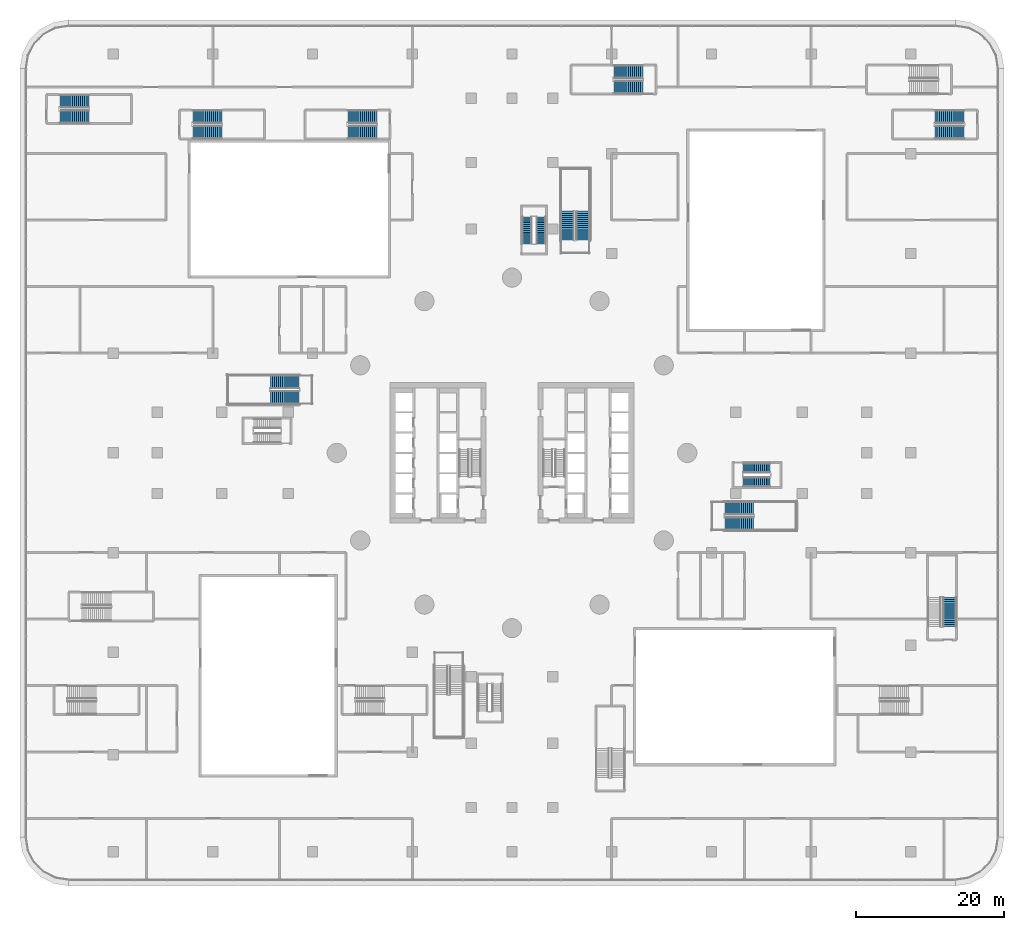
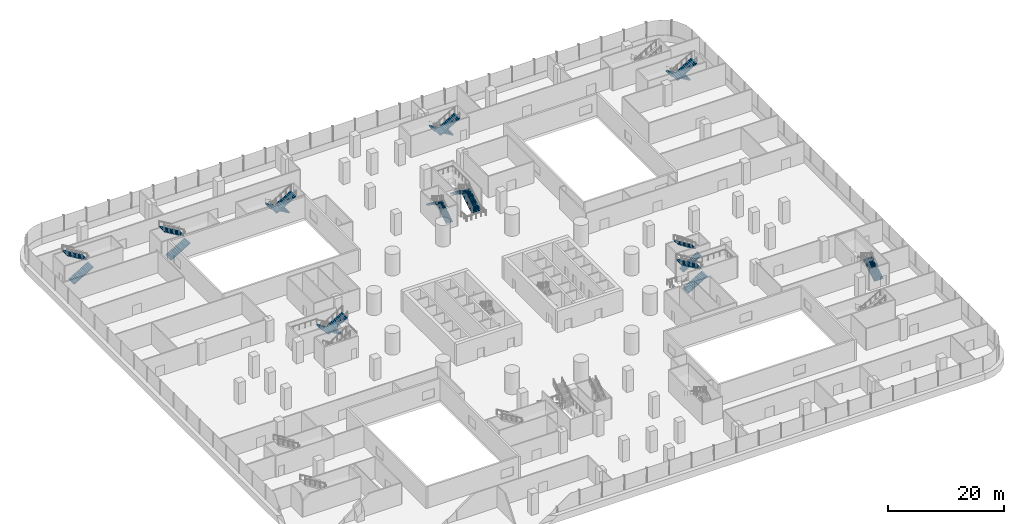
# One storey, part 32 of 44: 21 stair flights, 11 elements without a shape of their own.
"""IFC4 building model written with IfcOpenShell, lengths in metres."""

from ifc_helpers import new_model, si_unit, direction, frame, origin, place, context, subcontext, project, spatial, polyline, outline, extrude, material, type_object, element, aggregate, save


model = new_model("IFC4")

# Units and contexts
model_context = context("Model", 3, precision=1e-05, world=origin(), true_north=direction((0.0, 1.0)))
body_context = subcontext(model_context, "Body", "Model", "MODEL_VIEW")
ifc_project = project(units=[si_unit("LENGTHUNIT", "METRE"), si_unit("AREAUNIT", "SQUARE_METRE"), si_unit("VOLUMEUNIT", "CUBIC_METRE"), si_unit("PLANEANGLEUNIT", "RADIAN"), si_unit("MASSUNIT", "GRAM", prefix="KILO")], contexts=[model_context])

# Site, building, storey
site_placement = place(None, origin())
site = spatial("IfcSite", under=ifc_project, at=site_placement, CompositionType="ELEMENT")
building_placement = place(site_placement, origin())
building = spatial("IfcBuilding", under=site, at=building_placement, Name="Tamarind Cross Interchange Tower", CompositionType="ELEMENT")
storey_placement = place(building_placement, frame((0.0, 0.0, 15.0)))
storey = spatial("IfcBuildingStorey", under=building, at=storey_placement, Name="L02", CompositionType="ELEMENT", Elevation=15.0)

# Stair, stair flights
ifc_material_1 = material(Name="Exit stair")
stair_type_1 = type_object("IfcStairType", Name="Exit stair", PredefinedType="HALF_TURN_STAIR", material=ifc_material_1)
stair_1_placement = place(storey_placement, origin())
stair_1 = element("IfcStair", 1, at=stair_1_placement, inside=storey, type_object=stair_type_1, Name="L02 exit stair ST3", PredefinedType="HALF_TURN_STAIR")
ifc_material_2 = material(Name="Exit stair flight")
stair_flight_type_1 = type_object("IfcStairFlightType", Name="Exit stair flight", PredefinedType="STRAIGHT", material=ifc_material_2)
stair_flight_1_placement = place(storey_placement, frame((31.300048828125, -3.949951171875, 0.0), z_axis=(0.0, 0.0, 1.0), x_axis=(1.0, 0.0, 0.0)))
stair_flight_1 = element("IfcStairFlight", 2, at=stair_flight_1_placement, type_object=stair_flight_type_1, Name="ST3 flight 1", NumberOfRisers=15, NumberOfTreads=14, PredefinedType="STRAIGHT", RiserHeight=0.166666667, TreadLength=0.26, context=body_context, shape_type="SweptSolid", body=[
    extrude(outline(polyline([(0.0, 0.0), (0.0, 0.166748046875), (0.260009765625, 0.166748046875), (0.260009765625, 0.333251953125), (0.52001953125, 0.333251953125), (0.52001953125, 0.5), (0.780029296875, 0.5), (0.780029296875, 0.666748046875), (1.0400390625, 0.666748046875), (1.0400390625, 0.833251953125), (1.300048828125, 0.833251953125), (1.300048828125, 1.0), (1.56005859375, 1.0), (1.56005859375, 1.166748046875), (1.820068359375, 1.166748046875), (1.820068359375, 1.333251953125), (2.080078125, 1.333251953125), (2.080078125, 1.5), (2.340087890625, 1.5), (2.340087890625, 1.666748046875), (2.60009765625, 1.666748046875), (2.60009765625, 1.833251953125), (2.860107421875, 1.833251953125), (2.860107421875, 2.0), (3.1201171875, 2.0), (3.1201171875, 2.166748046875), (3.3798828125, 2.166748046875), (3.3798828125, 2.333251953125), (3.639892578125, 2.333251953125), (3.639892578125, 2.5), (3.639892578125, 2.1552734375), (0.27783203125, 0.0), (0.0, 0.0)])), frame((0.0, 0.64990234375, 0.0), z_axis=(0.0, -1.0, 0.0), x_axis=(1.0, 0.0, 0.0)), (0.0, 0.0, 1.0), 1.300048828125),
])
stair_flight_2_placement = place(storey_placement, frame((34.93994140625, -2.050048828125, 2.5), z_axis=(0.0, 0.0, 1.0), x_axis=(-1.0, 0.0, 0.0)))
stair_flight_2 = element("IfcStairFlight", 3, at=stair_flight_2_placement, type_object=stair_flight_type_1, Name="ST3 flight 2", NumberOfRisers=15, NumberOfTreads=14, PredefinedType="STRAIGHT", RiserHeight=0.166666667, TreadLength=0.26, context=body_context, shape_type="SweptSolid", body=[
    extrude(outline(polyline([(0.0, 0.0), (0.0, 0.166748046875), (0.260009765625, 0.166748046875), (0.260009765625, 0.333251953125), (0.52001953125, 0.333251953125), (0.52001953125, 0.5), (0.780029296875, 0.5), (0.780029296875, 0.666748046875), (1.0400390625, 0.666748046875), (1.0400390625, 0.833251953125), (1.300048828125, 0.833251953125), (1.300048828125, 1.0), (1.56005859375, 1.0), (1.56005859375, 1.166748046875), (1.820068359375, 1.166748046875), (1.820068359375, 1.333251953125), (2.080078125, 1.333251953125), (2.080078125, 1.5), (2.340087890625, 1.5), (2.340087890625, 1.666748046875), (2.60009765625, 1.666748046875), (2.60009765625, 1.833251953125), (2.860107421875, 1.833251953125), (2.860107421875, 2.0), (3.1201171875, 2.0), (3.1201171875, 2.166748046875), (3.3798828125, 2.166748046875), (3.3798828125, 2.333251953125), (3.639892578125, 2.333251953125), (3.639892578125, 2.5), (3.639892578125, 2.1552734375), (0.27783203125, 0.0), (0.0, 0.0)])), frame((0.0, 0.64990234375, 0.0), z_axis=(0.0, -1.0, 0.0), x_axis=(1.0, 0.0, 0.0)), (0.0, 0.0, 1.0), 1.300048828125),
])
aggregate(stair_1, [stair_flight_1, stair_flight_2])

stair_2_placement = place(storey_placement, origin())
stair_2 = element("IfcStair", 4, at=stair_2_placement, inside=storey, type_object=stair_type_1, Name="L02 exit stair ST4", PredefinedType="HALF_TURN_STAIR")
stair_flight_3_placement = place(storey_placement, frame((3.949951171875, 28.300048828125, 0.0), z_axis=(0.0, 0.0, 1.0), x_axis=(0.0, 1.0, 0.0)))
stair_flight_3 = element("IfcStairFlight", 5, at=stair_flight_3_placement, type_object=stair_flight_type_1, Name="ST4 flight 1", NumberOfRisers=15, NumberOfTreads=14, PredefinedType="STRAIGHT", RiserHeight=0.166666667, TreadLength=0.26, context=body_context, shape_type="SweptSolid", body=[
    extrude(outline(polyline([(0.0, 0.0), (0.0, 0.166748046875), (0.260009765625, 0.166748046875), (0.260009765625, 0.333251953125), (0.52001953125, 0.333251953125), (0.52001953125, 0.5), (0.780029296875, 0.5), (0.780029296875, 0.666748046875), (1.0400390625, 0.666748046875), (1.0400390625, 0.833251953125), (1.300048828125, 0.833251953125), (1.300048828125, 1.0), (1.56005859375, 1.0), (1.56005859375, 1.166748046875), (1.820068359375, 1.166748046875), (1.820068359375, 1.333251953125), (2.080078125, 1.333251953125), (2.080078125, 1.5), (2.340087890625, 1.5), (2.340087890625, 1.666748046875), (2.60009765625, 1.666748046875), (2.60009765625, 1.833251953125), (2.860107421875, 1.833251953125), (2.860107421875, 2.0), (3.1201171875, 2.0), (3.1201171875, 2.166748046875), (3.3798828125, 2.166748046875), (3.3798828125, 2.333251953125), (3.639892578125, 2.333251953125), (3.639892578125, 2.5), (3.639892578125, 2.1552734375), (0.27783203125, 0.0), (0.0, 0.0)])), frame((0.0, 0.64990234375, 0.0), z_axis=(0.0, -1.0, 0.0), x_axis=(1.0, 0.0, 0.0)), (0.0, 0.0, 1.0), 1.300048828125),
])
stair_flight_4_placement = place(storey_placement, frame((2.050048828125, 31.93994140625, 2.5), z_axis=(0.0, 0.0, 1.0), x_axis=(0.0, -1.0, 0.0)))
stair_flight_4 = element("IfcStairFlight", 6, at=stair_flight_4_placement, type_object=stair_flight_type_1, Name="ST4 flight 2", NumberOfRisers=15, NumberOfTreads=14, PredefinedType="STRAIGHT", RiserHeight=0.166666667, TreadLength=0.26, context=body_context, shape_type="SweptSolid", body=[
    extrude(outline(polyline([(0.0, 0.0), (0.0, 0.166748046875), (0.260009765625, 0.166748046875), (0.260009765625, 0.333251953125), (0.52001953125, 0.333251953125), (0.52001953125, 0.5), (0.780029296875, 0.5), (0.780029296875, 0.666748046875), (1.0400390625, 0.666748046875), (1.0400390625, 0.833251953125), (1.300048828125, 0.833251953125), (1.300048828125, 1.0), (1.56005859375, 1.0), (1.56005859375, 1.166748046875), (1.820068359375, 1.166748046875), (1.820068359375, 1.333251953125), (2.080078125, 1.333251953125), (2.080078125, 1.5), (2.340087890625, 1.5), (2.340087890625, 1.666748046875), (2.60009765625, 1.666748046875), (2.60009765625, 1.833251953125), (2.860107421875, 1.833251953125), (2.860107421875, 2.0), (3.1201171875, 2.0), (3.1201171875, 2.166748046875), (3.3798828125, 2.166748046875), (3.3798828125, 2.333251953125), (3.639892578125, 2.333251953125), (3.639892578125, 2.5), (3.639892578125, 2.1552734375), (0.27783203125, 0.0), (0.0, 0.0)])), frame((0.0, 0.64990234375, 0.0), z_axis=(0.0, -1.0, 0.0), x_axis=(1.0, 0.0, 0.0)), (0.0, 0.0, 1.0), 1.300048828125),
])
aggregate(stair_2, [stair_flight_3, stair_flight_4])

ifc_material_3 = material(Name="Public stair")
stair_type_2 = type_object("IfcStairType", Name="Public stair", PredefinedType="HALF_TURN_STAIR", material=ifc_material_3)
stair_3_placement = place(storey_placement, origin())
stair_3 = element("IfcStair", 7, at=stair_3_placement, inside=storey, type_object=stair_type_2, Name="L02 public stair PS-E", PredefinedType="HALF_TURN_STAIR")
ifc_material_4 = material(Name="Public stair flight")
stair_flight_type_2 = type_object("IfcStairFlightType", Name="Public stair flight", PredefinedType="STRAIGHT", material=ifc_material_4)
stair_flight_5_placement = place(storey_placement, frame((28.800048828125, -9.60009765625, 0.0), z_axis=(0.0, 0.0, 1.0), x_axis=(1.0, 0.0, 0.0)))
stair_flight_5 = element("IfcStairFlight", 8, at=stair_flight_5_placement, type_object=stair_flight_type_2, Name="PS-E flight 1", NumberOfRisers=15, NumberOfTreads=14, PredefinedType="STRAIGHT", RiserHeight=0.166666667, TreadLength=0.28, context=body_context, shape_type="SweptSolid", body=[
    extrude(outline(polyline([(0.0, 0.0), (0.0, 0.166748046875), (0.280029296875, 0.166748046875), (0.280029296875, 0.333251953125), (0.56005859375, 0.333251953125), (0.56005859375, 0.5), (0.840087890625, 0.5), (0.840087890625, 0.666748046875), (1.1201171875, 0.666748046875), (1.1201171875, 0.833251953125), (1.39990234375, 0.833251953125), (1.39990234375, 1.0), (1.679931640625, 1.0), (1.679931640625, 1.166748046875), (1.9599609375, 1.166748046875), (1.9599609375, 1.333251953125), (2.239990234375, 1.333251953125), (2.239990234375, 1.5), (2.52001953125, 1.5), (2.52001953125, 1.666748046875), (2.800048828125, 1.666748046875), (2.800048828125, 1.833251953125), (3.080078125, 1.833251953125), (3.080078125, 2.0), (3.360107421875, 2.0), (3.360107421875, 2.166748046875), (3.639892578125, 2.166748046875), (3.639892578125, 2.333251953125), (3.919921875, 2.333251953125), (3.919921875, 2.5), (3.919921875, 2.158935546875), (0.29296875, 0.0), (0.0, 0.0)])), frame((0.0, 0.89990234375, 0.0), z_axis=(0.0, -1.0, 0.0), x_axis=(1.0, 0.0, 0.0)), (0.0, 0.0, 1.0), 1.800048828125),
])
stair_flight_6_placement = place(storey_placement, frame((32.719970703125, -7.5, 2.5), z_axis=(0.0, 0.0, 1.0), x_axis=(-1.0, 0.0, 0.0)))
stair_flight_6 = element("IfcStairFlight", 9, at=stair_flight_6_placement, type_object=stair_flight_type_2, Name="PS-E flight 2", NumberOfRisers=15, NumberOfTreads=14, PredefinedType="STRAIGHT", RiserHeight=0.166666667, TreadLength=0.28, context=body_context, shape_type="SweptSolid", body=[
    extrude(outline(polyline([(0.0, 0.0), (0.0, 0.166748046875), (0.280029296875, 0.166748046875), (0.280029296875, 0.333251953125), (0.56005859375, 0.333251953125), (0.56005859375, 0.5), (0.840087890625, 0.5), (0.840087890625, 0.666748046875), (1.1201171875, 0.666748046875), (1.1201171875, 0.833251953125), (1.39990234375, 0.833251953125), (1.39990234375, 1.0), (1.679931640625, 1.0), (1.679931640625, 1.166748046875), (1.9599609375, 1.166748046875), (1.9599609375, 1.333251953125), (2.239990234375, 1.333251953125), (2.239990234375, 1.5), (2.52001953125, 1.5), (2.52001953125, 1.666748046875), (2.800048828125, 1.666748046875), (2.800048828125, 1.833251953125), (3.080078125, 1.833251953125), (3.080078125, 2.0), (3.360107421875, 2.0), (3.360107421875, 2.166748046875), (3.639892578125, 2.166748046875), (3.639892578125, 2.333251953125), (3.919921875, 2.333251953125), (3.919921875, 2.5), (3.919921875, 2.158935546875), (0.29296875, 0.0), (0.0, 0.0)])), frame((0.0, 0.89990234375, 0.0), z_axis=(0.0, -1.0, 0.0), x_axis=(1.0, 0.0, 0.0)), (0.0, 0.0, 1.0), 1.800048828125),
])
aggregate(stair_3, [stair_flight_5, stair_flight_6])

stair_4_placement = place(storey_placement, origin())
stair_4 = element("IfcStair", 10, at=stair_4_placement, inside=storey, type_object=stair_type_2, Name="L02 public stair PS-W", PredefinedType="HALF_TURN_STAIR")
stair_flight_7_placement = place(storey_placement, frame((-28.800048828125, 9.60009765625, 0.0), z_axis=(0.0, 0.0, 1.0), x_axis=(-1.0, 0.0, 0.0)))
stair_flight_7 = element("IfcStairFlight", 11, at=stair_flight_7_placement, type_object=stair_flight_type_2, Name="PS-W flight 1", NumberOfRisers=15, NumberOfTreads=14, PredefinedType="STRAIGHT", RiserHeight=0.166666667, TreadLength=0.28, context=body_context, shape_type="SweptSolid", body=[
    extrude(outline(polyline([(0.0, 0.0), (0.0, 0.166748046875), (0.280029296875, 0.166748046875), (0.280029296875, 0.333251953125), (0.56005859375, 0.333251953125), (0.56005859375, 0.5), (0.840087890625, 0.5), (0.840087890625, 0.666748046875), (1.1201171875, 0.666748046875), (1.1201171875, 0.833251953125), (1.39990234375, 0.833251953125), (1.39990234375, 1.0), (1.679931640625, 1.0), (1.679931640625, 1.166748046875), (1.9599609375, 1.166748046875), (1.9599609375, 1.333251953125), (2.239990234375, 1.333251953125), (2.239990234375, 1.5), (2.52001953125, 1.5), (2.52001953125, 1.666748046875), (2.800048828125, 1.666748046875), (2.800048828125, 1.833251953125), (3.080078125, 1.833251953125), (3.080078125, 2.0), (3.360107421875, 2.0), (3.360107421875, 2.166748046875), (3.639892578125, 2.166748046875), (3.639892578125, 2.333251953125), (3.919921875, 2.333251953125), (3.919921875, 2.5), (3.919921875, 2.158935546875), (0.29296875, 0.0), (0.0, 0.0)])), frame((0.0, 0.89990234375, 0.0), z_axis=(0.0, -1.0, 0.0), x_axis=(1.0, 0.0, 0.0)), (0.0, 0.0, 1.0), 1.800048828125),
])
stair_flight_8_placement = place(storey_placement, frame((-32.719970703125, 7.5, 2.5), z_axis=(0.0, 0.0, 1.0), x_axis=(1.0, 0.0, 0.0)))
stair_flight_8 = element("IfcStairFlight", 12, at=stair_flight_8_placement, type_object=stair_flight_type_2, Name="PS-W flight 2", NumberOfRisers=15, NumberOfTreads=14, PredefinedType="STRAIGHT", RiserHeight=0.166666667, TreadLength=0.28, context=body_context, shape_type="SweptSolid", body=[
    extrude(outline(polyline([(0.0, 0.0), (0.0, 0.166748046875), (0.280029296875, 0.166748046875), (0.280029296875, 0.333251953125), (0.56005859375, 0.333251953125), (0.56005859375, 0.5), (0.840087890625, 0.5), (0.840087890625, 0.666748046875), (1.1201171875, 0.666748046875), (1.1201171875, 0.833251953125), (1.39990234375, 0.833251953125), (1.39990234375, 1.0), (1.679931640625, 1.0), (1.679931640625, 1.166748046875), (1.9599609375, 1.166748046875), (1.9599609375, 1.333251953125), (2.239990234375, 1.333251953125), (2.239990234375, 1.5), (2.52001953125, 1.5), (2.52001953125, 1.666748046875), (2.800048828125, 1.666748046875), (2.800048828125, 1.833251953125), (3.080078125, 1.833251953125), (3.080078125, 2.0), (3.360107421875, 2.0), (3.360107421875, 2.166748046875), (3.639892578125, 2.166748046875), (3.639892578125, 2.333251953125), (3.919921875, 2.333251953125), (3.919921875, 2.5), (3.919921875, 2.158935546875), (0.29296875, 0.0), (0.0, 0.0)])), frame((0.0, 0.89990234375, 0.0), z_axis=(0.0, -1.0, 0.0), x_axis=(1.0, 0.0, 0.0)), (0.0, 0.0, 1.0), 1.800048828125),
])
aggregate(stair_4, [stair_flight_7, stair_flight_8])

stair_5_placement = place(storey_placement, origin())
stair_5 = element("IfcStair", 13, at=stair_5_placement, inside=storey, type_object=stair_type_2, Name="L02 public stair PS-N", PredefinedType="HALF_TURN_STAIR")
stair_flight_9_placement = place(storey_placement, frame((9.60009765625, 28.800048828125, 0.0), z_axis=(0.0, 0.0, 1.0), x_axis=(0.0, 1.0, 0.0)))
stair_flight_9 = element("IfcStairFlight", 14, at=stair_flight_9_placement, type_object=stair_flight_type_2, Name="PS-N flight 1", NumberOfRisers=15, NumberOfTreads=14, PredefinedType="STRAIGHT", RiserHeight=0.166666667, TreadLength=0.28, context=body_context, shape_type="SweptSolid", body=[
    extrude(outline(polyline([(0.0, 0.0), (0.0, 0.166748046875), (0.280029296875, 0.166748046875), (0.280029296875, 0.333251953125), (0.56005859375, 0.333251953125), (0.56005859375, 0.5), (0.840087890625, 0.5), (0.840087890625, 0.666748046875), (1.1201171875, 0.666748046875), (1.1201171875, 0.833251953125), (1.39990234375, 0.833251953125), (1.39990234375, 1.0), (1.679931640625, 1.0), (1.679931640625, 1.166748046875), (1.9599609375, 1.166748046875), (1.9599609375, 1.333251953125), (2.239990234375, 1.333251953125), (2.239990234375, 1.5), (2.52001953125, 1.5), (2.52001953125, 1.666748046875), (2.800048828125, 1.666748046875), (2.800048828125, 1.833251953125), (3.080078125, 1.833251953125), (3.080078125, 2.0), (3.360107421875, 2.0), (3.360107421875, 2.166748046875), (3.639892578125, 2.166748046875), (3.639892578125, 2.333251953125), (3.919921875, 2.333251953125), (3.919921875, 2.5), (3.919921875, 2.158935546875), (0.29296875, 0.0), (0.0, 0.0)])), frame((0.0, 0.89990234375, 0.0), z_axis=(0.0, -1.0, 0.0), x_axis=(1.0, 0.0, 0.0)), (0.0, 0.0, 1.0), 1.800048828125),
])
stair_flight_10_placement = place(storey_placement, frame((7.5, 32.719970703125, 2.5), z_axis=(0.0, 0.0, 1.0), x_axis=(0.0, -1.0, 0.0)))
stair_flight_10 = element("IfcStairFlight", 15, at=stair_flight_10_placement, type_object=stair_flight_type_2, Name="PS-N flight 2", NumberOfRisers=15, NumberOfTreads=14, PredefinedType="STRAIGHT", RiserHeight=0.166666667, TreadLength=0.28, context=body_context, shape_type="SweptSolid", body=[
    extrude(outline(polyline([(0.0, 0.0), (0.0, 0.166748046875), (0.280029296875, 0.166748046875), (0.280029296875, 0.333251953125), (0.56005859375, 0.333251953125), (0.56005859375, 0.5), (0.840087890625, 0.5), (0.840087890625, 0.666748046875), (1.1201171875, 0.666748046875), (1.1201171875, 0.833251953125), (1.39990234375, 0.833251953125), (1.39990234375, 1.0), (1.679931640625, 1.0), (1.679931640625, 1.166748046875), (1.9599609375, 1.166748046875), (1.9599609375, 1.333251953125), (2.239990234375, 1.333251953125), (2.239990234375, 1.5), (2.52001953125, 1.5), (2.52001953125, 1.666748046875), (2.800048828125, 1.666748046875), (2.800048828125, 1.833251953125), (3.080078125, 1.833251953125), (3.080078125, 2.0), (3.360107421875, 2.0), (3.360107421875, 2.166748046875), (3.639892578125, 2.166748046875), (3.639892578125, 2.333251953125), (3.919921875, 2.333251953125), (3.919921875, 2.5), (3.919921875, 2.158935546875), (0.29296875, 0.0), (0.0, 0.0)])), frame((0.0, 0.89990234375, 0.0), z_axis=(0.0, -1.0, 0.0), x_axis=(1.0, 0.0, 0.0)), (0.0, 0.0, 1.0), 1.800048828125),
])
aggregate(stair_5, [stair_flight_9, stair_flight_10])

stair_6_placement = place(storey_placement, origin())
stair_6 = element("IfcStair", 16, at=stair_6_placement, inside=storey, type_object=stair_type_2, Name="L02 exit stair XS-P02", PredefinedType="HALF_TURN_STAIR")
stair_flight_11_placement = place(storey_placement, frame((61.199951171875, 45.5, 0.0), z_axis=(0.0, 0.0, 1.0), x_axis=(-1.0, 0.0, 0.0)))
stair_flight_11 = element("IfcStairFlight", 17, at=stair_flight_11_placement, type_object=stair_flight_type_2, Name="XS-P02 flight 1", NumberOfRisers=15, NumberOfTreads=14, PredefinedType="STRAIGHT", RiserHeight=0.166666667, TreadLength=0.28, context=body_context, shape_type="SweptSolid", body=[
    extrude(outline(polyline([(0.0, 0.0), (0.0, 0.166748046875), (0.280029296875, 0.166748046875), (0.280029296875, 0.333251953125), (0.56005859375, 0.333251953125), (0.56005859375, 0.5), (0.840087890625, 0.5), (0.840087890625, 0.666748046875), (1.1201171875, 0.666748046875), (1.1201171875, 0.833251953125), (1.39990234375, 0.833251953125), (1.39990234375, 1.0), (1.679931640625, 1.0), (1.679931640625, 1.166748046875), (1.9599609375, 1.166748046875), (1.9599609375, 1.333251953125), (2.239990234375, 1.333251953125), (2.239990234375, 1.5), (2.52001953125, 1.5), (2.52001953125, 1.666748046875), (2.800048828125, 1.666748046875), (2.800048828125, 1.833251953125), (3.080078125, 1.833251953125), (3.080078125, 2.0), (3.360107421875, 2.0), (3.360107421875, 2.166748046875), (3.639892578125, 2.166748046875), (3.639892578125, 2.333251953125), (3.919921875, 2.333251953125), (3.919921875, 2.5), (3.919921875, 2.158935546875), (0.29296875, 0.0), (0.0, 0.0)])), frame((0.0, 0.89990234375, 0.0), z_axis=(0.0, -1.0, 0.0), x_axis=(1.0, 0.0, 0.0)), (0.0, 0.0, 1.0), 1.800048828125),
])
stair_flight_12_placement = place(storey_placement, frame((57.280029296875, 43.39990234375, 2.5), z_axis=(0.0, 0.0, 1.0), x_axis=(1.0, 0.0, 0.0)))
stair_flight_12 = element("IfcStairFlight", 18, at=stair_flight_12_placement, type_object=stair_flight_type_2, Name="XS-P02 flight 2", NumberOfRisers=15, NumberOfTreads=14, PredefinedType="STRAIGHT", RiserHeight=0.166666667, TreadLength=0.28, context=body_context, shape_type="SweptSolid", body=[
    extrude(outline(polyline([(0.0, 0.0), (0.0, 0.166748046875), (0.280029296875, 0.166748046875), (0.280029296875, 0.333251953125), (0.56005859375, 0.333251953125), (0.56005859375, 0.5), (0.840087890625, 0.5), (0.840087890625, 0.666748046875), (1.1201171875, 0.666748046875), (1.1201171875, 0.833251953125), (1.39990234375, 0.833251953125), (1.39990234375, 1.0), (1.679931640625, 1.0), (1.679931640625, 1.166748046875), (1.9599609375, 1.166748046875), (1.9599609375, 1.333251953125), (2.239990234375, 1.333251953125), (2.239990234375, 1.5), (2.52001953125, 1.5), (2.52001953125, 1.666748046875), (2.800048828125, 1.666748046875), (2.800048828125, 1.833251953125), (3.080078125, 1.833251953125), (3.080078125, 2.0), (3.360107421875, 2.0), (3.360107421875, 2.166748046875), (3.639892578125, 2.166748046875), (3.639892578125, 2.333251953125), (3.919921875, 2.333251953125), (3.919921875, 2.5), (3.919921875, 2.158935546875), (0.29296875, 0.0), (0.0, 0.0)])), frame((0.0, 0.89990234375, 0.0), z_axis=(0.0, -1.0, 0.0), x_axis=(1.0, 0.0, 0.0)), (0.0, 0.0, 1.0), 1.800048828125),
])
aggregate(stair_6, [stair_flight_11, stair_flight_12])

stair_7_placement = place(storey_placement, origin())
stair_7 = element("IfcStair", 19, at=stair_7_placement, inside=storey, type_object=stair_type_2, Name="L02 exit stair XS-P03", PredefinedType="HALF_TURN_STAIR")
stair_flight_13_placement = place(storey_placement, frame((17.699951171875, 51.60009765625, 0.0), z_axis=(0.0, 0.0, 1.0), x_axis=(-1.0, 0.0, 0.0)))
stair_flight_13 = element("IfcStairFlight", 20, at=stair_flight_13_placement, type_object=stair_flight_type_2, Name="XS-P03 flight 1", NumberOfRisers=15, NumberOfTreads=14, PredefinedType="STRAIGHT", RiserHeight=0.166666667, TreadLength=0.28, context=body_context, shape_type="SweptSolid", body=[
    extrude(outline(polyline([(0.0, 0.0), (0.0, 0.166748046875), (0.280029296875, 0.166748046875), (0.280029296875, 0.333251953125), (0.56005859375, 0.333251953125), (0.56005859375, 0.5), (0.840087890625, 0.5), (0.840087890625, 0.666748046875), (1.1201171875, 0.666748046875), (1.1201171875, 0.833251953125), (1.39990234375, 0.833251953125), (1.39990234375, 1.0), (1.679931640625, 1.0), (1.679931640625, 1.166748046875), (1.9599609375, 1.166748046875), (1.9599609375, 1.333251953125), (2.239990234375, 1.333251953125), (2.239990234375, 1.5), (2.52001953125, 1.5), (2.52001953125, 1.666748046875), (2.800048828125, 1.666748046875), (2.800048828125, 1.833251953125), (3.080078125, 1.833251953125), (3.080078125, 2.0), (3.360107421875, 2.0), (3.360107421875, 2.166748046875), (3.639892578125, 2.166748046875), (3.639892578125, 2.333251953125), (3.919921875, 2.333251953125), (3.919921875, 2.5), (3.919921875, 2.158935546875), (0.29296875, 0.0), (0.0, 0.0)])), frame((0.0, 0.89990234375, 0.0), z_axis=(0.0, -1.0, 0.0), x_axis=(1.0, 0.0, 0.0)), (0.0, 0.0, 1.0), 1.800048828125),
])
stair_flight_14_placement = place(storey_placement, frame((13.780029296875, 49.5, 2.5), z_axis=(0.0, 0.0, 1.0), x_axis=(1.0, 0.0, 0.0)))
stair_flight_14 = element("IfcStairFlight", 21, at=stair_flight_14_placement, type_object=stair_flight_type_2, Name="XS-P03 flight 2", NumberOfRisers=15, NumberOfTreads=14, PredefinedType="STRAIGHT", RiserHeight=0.166666667, TreadLength=0.28, context=body_context, shape_type="SweptSolid", body=[
    extrude(outline(polyline([(0.0, 0.0), (0.0, 0.166748046875), (0.280029296875, 0.166748046875), (0.280029296875, 0.333251953125), (0.56005859375, 0.333251953125), (0.56005859375, 0.5), (0.840087890625, 0.5), (0.840087890625, 0.666748046875), (1.1201171875, 0.666748046875), (1.1201171875, 0.833251953125), (1.39990234375, 0.833251953125), (1.39990234375, 1.0), (1.679931640625, 1.0), (1.679931640625, 1.166748046875), (1.9599609375, 1.166748046875), (1.9599609375, 1.333251953125), (2.239990234375, 1.333251953125), (2.239990234375, 1.5), (2.52001953125, 1.5), (2.52001953125, 1.666748046875), (2.800048828125, 1.666748046875), (2.800048828125, 1.833251953125), (3.080078125, 1.833251953125), (3.080078125, 2.0), (3.360107421875, 2.0), (3.360107421875, 2.166748046875), (3.639892578125, 2.166748046875), (3.639892578125, 2.333251953125), (3.919921875, 2.333251953125), (3.919921875, 2.5), (3.919921875, 2.158935546875), (0.29296875, 0.0), (0.0, 0.0)])), frame((0.0, 0.89990234375, 0.0), z_axis=(0.0, -1.0, 0.0), x_axis=(1.0, 0.0, 0.0)), (0.0, 0.0, 1.0), 1.800048828125),
])
aggregate(stair_7, [stair_flight_13, stair_flight_14])

stair_8_placement = place(storey_placement, origin())
stair_8 = element("IfcStair", 22, at=stair_8_placement, inside=storey, type_object=stair_type_2, Name="L02 exit stair XS-P04", PredefinedType="HALF_TURN_STAIR")
stair_flight_15_placement = place(storey_placement, frame((-43.199951171875, 43.39990234375, 0.0), z_axis=(0.0, 0.0, 1.0), x_axis=(1.0, 0.0, 0.0)))
stair_flight_15 = element("IfcStairFlight", 23, at=stair_flight_15_placement, type_object=stair_flight_type_2, Name="XS-P04 flight 1", NumberOfRisers=15, NumberOfTreads=14, PredefinedType="STRAIGHT", RiserHeight=0.166666667, TreadLength=0.28, context=body_context, shape_type="SweptSolid", body=[
    extrude(outline(polyline([(0.0, 0.0), (0.0, 0.166748046875), (0.280029296875, 0.166748046875), (0.280029296875, 0.333251953125), (0.56005859375, 0.333251953125), (0.56005859375, 0.5), (0.840087890625, 0.5), (0.840087890625, 0.666748046875), (1.1201171875, 0.666748046875), (1.1201171875, 0.833251953125), (1.39990234375, 0.833251953125), (1.39990234375, 1.0), (1.679931640625, 1.0), (1.679931640625, 1.166748046875), (1.9599609375, 1.166748046875), (1.9599609375, 1.333251953125), (2.239990234375, 1.333251953125), (2.239990234375, 1.5), (2.52001953125, 1.5), (2.52001953125, 1.666748046875), (2.800048828125, 1.666748046875), (2.800048828125, 1.833251953125), (3.080078125, 1.833251953125), (3.080078125, 2.0), (3.360107421875, 2.0), (3.360107421875, 2.166748046875), (3.639892578125, 2.166748046875), (3.639892578125, 2.333251953125), (3.919921875, 2.333251953125), (3.919921875, 2.5), (3.919921875, 2.158935546875), (0.29296875, 0.0), (0.0, 0.0)])), frame((0.0, 0.89990234375, 0.0), z_axis=(0.0, -1.0, 0.0), x_axis=(1.0, 0.0, 0.0)), (0.0, 0.0, 1.0), 1.800048828125),
])
stair_flight_16_placement = place(storey_placement, frame((-39.280029296875, 45.5, 2.5), z_axis=(0.0, 0.0, 1.0), x_axis=(-1.0, 0.0, 0.0)))
stair_flight_16 = element("IfcStairFlight", 24, at=stair_flight_16_placement, type_object=stair_flight_type_2, Name="XS-P04 flight 2", NumberOfRisers=15, NumberOfTreads=14, PredefinedType="STRAIGHT", RiserHeight=0.166666667, TreadLength=0.28, context=body_context, shape_type="SweptSolid", body=[
    extrude(outline(polyline([(0.0, 0.0), (0.0, 0.166748046875), (0.280029296875, 0.166748046875), (0.280029296875, 0.333251953125), (0.56005859375, 0.333251953125), (0.56005859375, 0.5), (0.840087890625, 0.5), (0.840087890625, 0.666748046875), (1.1201171875, 0.666748046875), (1.1201171875, 0.833251953125), (1.39990234375, 0.833251953125), (1.39990234375, 1.0), (1.679931640625, 1.0), (1.679931640625, 1.166748046875), (1.9599609375, 1.166748046875), (1.9599609375, 1.333251953125), (2.239990234375, 1.333251953125), (2.239990234375, 1.5), (2.52001953125, 1.5), (2.52001953125, 1.666748046875), (2.800048828125, 1.666748046875), (2.800048828125, 1.833251953125), (3.080078125, 1.833251953125), (3.080078125, 2.0), (3.360107421875, 2.0), (3.360107421875, 2.166748046875), (3.639892578125, 2.166748046875), (3.639892578125, 2.333251953125), (3.919921875, 2.333251953125), (3.919921875, 2.5), (3.919921875, 2.158935546875), (0.29296875, 0.0), (0.0, 0.0)])), frame((0.0, 0.89990234375, 0.0), z_axis=(0.0, -1.0, 0.0), x_axis=(1.0, 0.0, 0.0)), (0.0, 0.0, 1.0), 1.800048828125),
])
aggregate(stair_8, [stair_flight_15, stair_flight_16])

stair_9_placement = place(storey_placement, origin())
stair_9 = element("IfcStair", 25, at=stair_9_placement, inside=storey, type_object=stair_type_2, Name="L02 exit stair XS-P05", PredefinedType="HALF_TURN_STAIR")
stair_flight_17_placement = place(storey_placement, frame((-61.199951171875, 45.5, 0.0), z_axis=(0.0, 0.0, 1.0), x_axis=(1.0, 0.0, 0.0)))
stair_flight_17 = element("IfcStairFlight", 26, at=stair_flight_17_placement, type_object=stair_flight_type_2, Name="XS-P05 flight 1", NumberOfRisers=15, NumberOfTreads=14, PredefinedType="STRAIGHT", RiserHeight=0.166666667, TreadLength=0.28, context=body_context, shape_type="SweptSolid", body=[
    extrude(outline(polyline([(0.0, 0.0), (0.0, 0.166748046875), (0.280029296875, 0.166748046875), (0.280029296875, 0.333251953125), (0.56005859375, 0.333251953125), (0.56005859375, 0.5), (0.840087890625, 0.5), (0.840087890625, 0.666748046875), (1.1201171875, 0.666748046875), (1.1201171875, 0.833251953125), (1.39990234375, 0.833251953125), (1.39990234375, 1.0), (1.679931640625, 1.0), (1.679931640625, 1.166748046875), (1.9599609375, 1.166748046875), (1.9599609375, 1.333251953125), (2.239990234375, 1.333251953125), (2.239990234375, 1.5), (2.52001953125, 1.5), (2.52001953125, 1.666748046875), (2.800048828125, 1.666748046875), (2.800048828125, 1.833251953125), (3.080078125, 1.833251953125), (3.080078125, 2.0), (3.360107421875, 2.0), (3.360107421875, 2.166748046875), (3.639892578125, 2.166748046875), (3.639892578125, 2.333251953125), (3.919921875, 2.333251953125), (3.919921875, 2.5), (3.919921875, 2.158935546875), (0.29296875, 0.0), (0.0, 0.0)])), frame((0.0, 0.89990234375, 0.0), z_axis=(0.0, -1.0, 0.0), x_axis=(1.0, 0.0, 0.0)), (0.0, 0.0, 1.0), 1.800048828125),
])
stair_flight_18_placement = place(storey_placement, frame((-57.280029296875, 47.60009765625, 2.5), z_axis=(0.0, 0.0, 1.0), x_axis=(-1.0, 0.0, 0.0)))
stair_flight_18 = element("IfcStairFlight", 27, at=stair_flight_18_placement, type_object=stair_flight_type_2, Name="XS-P05 flight 2", NumberOfRisers=15, NumberOfTreads=14, PredefinedType="STRAIGHT", RiserHeight=0.166666667, TreadLength=0.28, context=body_context, shape_type="SweptSolid", body=[
    extrude(outline(polyline([(0.0, 0.0), (0.0, 0.166748046875), (0.280029296875, 0.166748046875), (0.280029296875, 0.333251953125), (0.56005859375, 0.333251953125), (0.56005859375, 0.5), (0.840087890625, 0.5), (0.840087890625, 0.666748046875), (1.1201171875, 0.666748046875), (1.1201171875, 0.833251953125), (1.39990234375, 0.833251953125), (1.39990234375, 1.0), (1.679931640625, 1.0), (1.679931640625, 1.166748046875), (1.9599609375, 1.166748046875), (1.9599609375, 1.333251953125), (2.239990234375, 1.333251953125), (2.239990234375, 1.5), (2.52001953125, 1.5), (2.52001953125, 1.666748046875), (2.800048828125, 1.666748046875), (2.800048828125, 1.833251953125), (3.080078125, 1.833251953125), (3.080078125, 2.0), (3.360107421875, 2.0), (3.360107421875, 2.166748046875), (3.639892578125, 2.166748046875), (3.639892578125, 2.333251953125), (3.919921875, 2.333251953125), (3.919921875, 2.5), (3.919921875, 2.158935546875), (0.29296875, 0.0), (0.0, 0.0)])), frame((0.0, 0.89990234375, 0.0), z_axis=(0.0, -1.0, 0.0), x_axis=(1.0, 0.0, 0.0)), (0.0, 0.0, 1.0), 1.800048828125),
])
aggregate(stair_9, [stair_flight_17, stair_flight_18])

stair_10_placement = place(storey_placement, origin())
stair_10 = element("IfcStair", 28, at=stair_10_placement, inside=storey, type_object=stair_type_2, Name="L02 exit stair XS-P06", PredefinedType="HALF_TURN_STAIR")
stair_flight_19_placement = place(storey_placement, frame((-18.300048828125, 45.5, 0.0), z_axis=(0.0, 0.0, 1.0), x_axis=(-1.0, 0.0, 0.0)))
stair_flight_19 = element("IfcStairFlight", 29, at=stair_flight_19_placement, type_object=stair_flight_type_2, Name="XS-P06 flight 1", NumberOfRisers=15, NumberOfTreads=14, PredefinedType="STRAIGHT", RiserHeight=0.166666667, TreadLength=0.28, context=body_context, shape_type="SweptSolid", body=[
    extrude(outline(polyline([(0.0, 0.0), (0.0, 0.166748046875), (0.280029296875, 0.166748046875), (0.280029296875, 0.333251953125), (0.56005859375, 0.333251953125), (0.56005859375, 0.5), (0.840087890625, 0.5), (0.840087890625, 0.666748046875), (1.1201171875, 0.666748046875), (1.1201171875, 0.833251953125), (1.39990234375, 0.833251953125), (1.39990234375, 1.0), (1.679931640625, 1.0), (1.679931640625, 1.166748046875), (1.9599609375, 1.166748046875), (1.9599609375, 1.333251953125), (2.239990234375, 1.333251953125), (2.239990234375, 1.5), (2.52001953125, 1.5), (2.52001953125, 1.666748046875), (2.800048828125, 1.666748046875), (2.800048828125, 1.833251953125), (3.080078125, 1.833251953125), (3.080078125, 2.0), (3.360107421875, 2.0), (3.360107421875, 2.166748046875), (3.639892578125, 2.166748046875), (3.639892578125, 2.333251953125), (3.919921875, 2.333251953125), (3.919921875, 2.5), (3.919921875, 2.158935546875), (0.29296875, 0.0), (0.0, 0.0)])), frame((0.0, 0.89990234375, 0.0), z_axis=(0.0, -1.0, 0.0), x_axis=(1.0, 0.0, 0.0)), (0.0, 0.0, 1.0), 1.800048828125),
])
stair_flight_20_placement = place(storey_placement, frame((-22.219970703125, 43.39990234375, 2.5), z_axis=(0.0, 0.0, 1.0), x_axis=(1.0, 0.0, 0.0)))
stair_flight_20 = element("IfcStairFlight", 30, at=stair_flight_20_placement, type_object=stair_flight_type_2, Name="XS-P06 flight 2", NumberOfRisers=15, NumberOfTreads=14, PredefinedType="STRAIGHT", RiserHeight=0.166666667, TreadLength=0.28, context=body_context, shape_type="SweptSolid", body=[
    extrude(outline(polyline([(0.0, 0.0), (0.0, 0.166748046875), (0.280029296875, 0.166748046875), (0.280029296875, 0.333251953125), (0.56005859375, 0.333251953125), (0.56005859375, 0.5), (0.840087890625, 0.5), (0.840087890625, 0.666748046875), (1.1201171875, 0.666748046875), (1.1201171875, 0.833251953125), (1.39990234375, 0.833251953125), (1.39990234375, 1.0), (1.679931640625, 1.0), (1.679931640625, 1.166748046875), (1.9599609375, 1.166748046875), (1.9599609375, 1.333251953125), (2.239990234375, 1.333251953125), (2.239990234375, 1.5), (2.52001953125, 1.5), (2.52001953125, 1.666748046875), (2.800048828125, 1.666748046875), (2.800048828125, 1.833251953125), (3.080078125, 1.833251953125), (3.080078125, 2.0), (3.360107421875, 2.0), (3.360107421875, 2.166748046875), (3.639892578125, 2.166748046875), (3.639892578125, 2.333251953125), (3.919921875, 2.333251953125), (3.919921875, 2.5), (3.919921875, 2.158935546875), (0.29296875, 0.0), (0.0, 0.0)])), frame((0.0, 0.89990234375, 0.0), z_axis=(0.0, -1.0, 0.0), x_axis=(1.0, 0.0, 0.0)), (0.0, 0.0, 1.0), 1.800048828125),
])
aggregate(stair_10, [stair_flight_19, stair_flight_20])

# Stair, stair flight
stair_11_placement = place(storey_placement, origin())
stair_11 = element("IfcStair", 31, at=stair_11_placement, inside=storey, type_object=stair_type_2, Name="L02 exit stair XS-P11", PredefinedType="HALF_TURN_STAIR")
stair_flight_21_placement = place(storey_placement, frame((59.25, -23.5, 0.0), z_axis=(0.0, 0.0, 1.0), x_axis=(0.0, 1.0, 0.0)))
stair_flight_21 = element("IfcStairFlight", 32, at=stair_flight_21_placement, type_object=stair_flight_type_2, Name="XS-P11 flight 1", NumberOfRisers=15, NumberOfTreads=14, PredefinedType="STRAIGHT", RiserHeight=0.166666667, TreadLength=0.28, context=body_context, shape_type="SweptSolid", body=[
    extrude(outline(polyline([(0.0, 0.0), (0.0, 0.166748046875), (0.280029296875, 0.166748046875), (0.280029296875, 0.333251953125), (0.56005859375, 0.333251953125), (0.56005859375, 0.5), (0.840087890625, 0.5), (0.840087890625, 0.666748046875), (1.1201171875, 0.666748046875), (1.1201171875, 0.833251953125), (1.39990234375, 0.833251953125), (1.39990234375, 1.0), (1.679931640625, 1.0), (1.679931640625, 1.166748046875), (1.9599609375, 1.166748046875), (1.9599609375, 1.333251953125), (2.239990234375, 1.333251953125), (2.239990234375, 1.5), (2.52001953125, 1.5), (2.52001953125, 1.666748046875), (2.800048828125, 1.666748046875), (2.800048828125, 1.833251953125), (3.080078125, 1.833251953125), (3.080078125, 2.0), (3.360107421875, 2.0), (3.360107421875, 2.166748046875), (3.639892578125, 2.166748046875), (3.639892578125, 2.333251953125), (3.919921875, 2.333251953125), (3.919921875, 2.5), (3.919921875, 2.158935546875), (0.29296875, 0.0), (0.0, 0.0)])), frame((0.0, 0.89990234375, 0.0), z_axis=(0.0, -1.0, 0.0), x_axis=(1.0, 0.0, 0.0)), (0.0, 0.0, 1.0), 1.800048828125),
])
aggregate(stair_11, [stair_flight_21])

save(model, "model.ifc")
